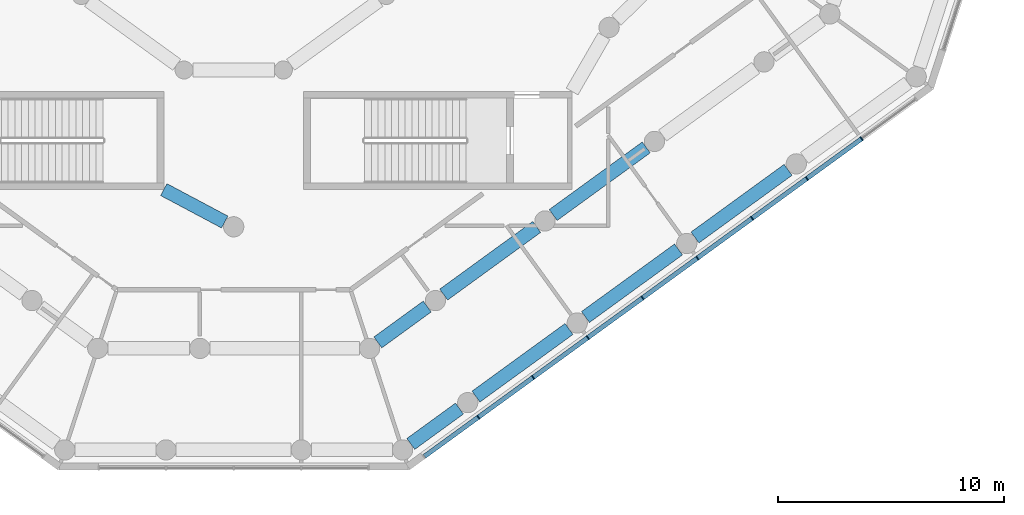
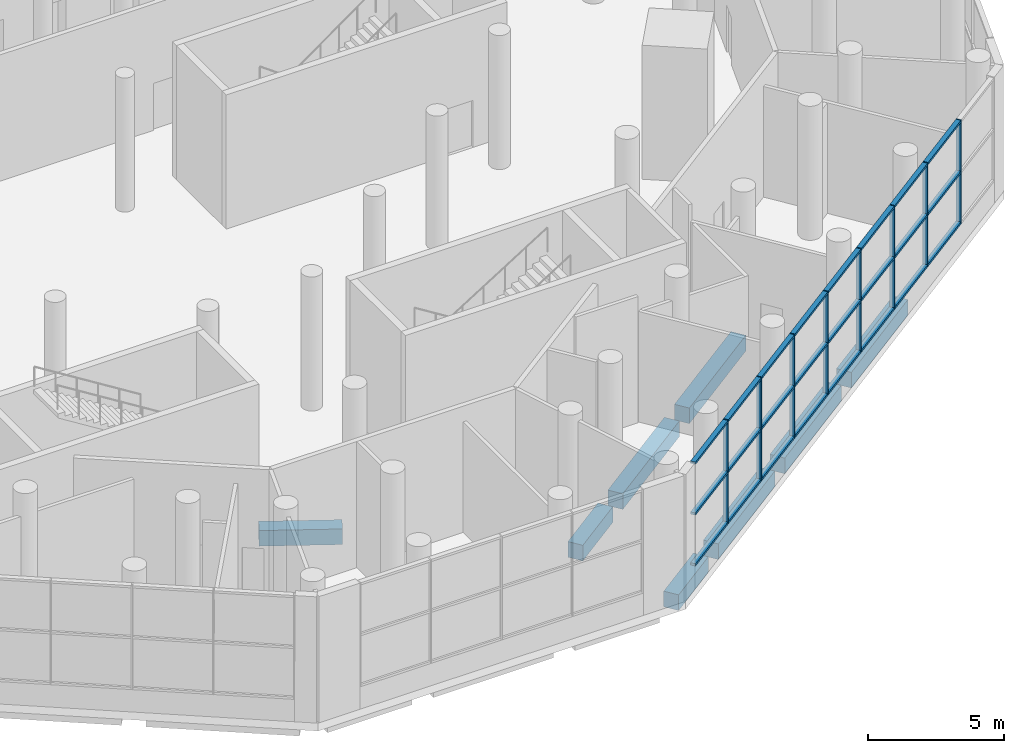
# One storey, part 5 of 19: 32 members, 8 beams, 1 element without a shape of its own.
"""IFC4 building model written with IfcOpenShell, lengths in metres."""

from ifc_helpers import new_model, si_unit, direction, frame, origin, origin_2d, place, context, subcontext, project, spatial, rectangle, extrude, material, material_profile, profile_set, type_object, element, aggregate, save


model = new_model("IFC4")

# Units and contexts
model_context = context("Model", 3, precision=1e-05, world=origin(), true_north=direction((0.0, 1.0)))
body_context = subcontext(model_context, "Body", "Model", "MODEL_VIEW")
ifc_project = project(units=[si_unit("LENGTHUNIT", "METRE"), si_unit("AREAUNIT", "SQUARE_METRE"), si_unit("VOLUMEUNIT", "CUBIC_METRE"), si_unit("PLANEANGLEUNIT", "RADIAN"), si_unit("MASSUNIT", "GRAM", prefix="KILO")], contexts=[model_context])

# Site, building, storey
site_placement = place(None, origin())
site = spatial("IfcSite", under=ifc_project, at=site_placement, CompositionType="ELEMENT")
building_placement = place(site_placement, origin())
building = spatial("IfcBuilding", under=site, at=building_placement, Name="White Candle Pilgrim Tower", CompositionType="ELEMENT")
storey_placement = place(building_placement, frame((0.0, 0.0, 23.0)))
storey = spatial("IfcBuildingStorey", under=building, at=storey_placement, Name="L03", CompositionType="ELEMENT", Elevation=23.0)

# Curtain wall, members
ifc_material_1 = material(Name="Aluminium and glass", Category="aluminium")
curtain_wall_type = type_object("IfcCurtainWallType", Name="Curtain wall CW2 prayer hall clerestory", PredefinedType="NOTDEFINED", material=ifc_material_1)
curtain_wall_placement = place(storey_placement, origin())
curtain_wall = element("IfcCurtainWall", 1, at=curtain_wall_placement, inside=storey, type_object=curtain_wall_type, Name="Curtain wall CW2 L03 SE", PredefinedType="NOTDEFINED")
ifc_material_2 = material(Name="Aluminium", Category="aluminium")
ifc_material_profile_1 = material_profile(ifc_material_2, rectangle(XDim=0.199951171875, YDim=0.050048828125, at=origin_2d()), Name="CW2 mullion 50x200")
ifc_profile_set_1 = profile_set([ifc_material_profile_1], Name="Aluminium")
member_type_1 = type_object("IfcMemberType", Name="CW2 mullion 50x200", PredefinedType="MULLION", material=ifc_profile_set_1)
member_1_placement = place(storey_placement, frame((80.843505859375, 31.211669921875, 1.0), z_axis=(0.0, 0.0, 1.0), x_axis=(-0.587785249384, 0.809016996488, 0.0)))
member_1 = element("IfcMember", 2, at=member_1_placement, type_object=member_type_1, Name="CW2 mullion 2", PredefinedType="MULLION", context=body_context, shape_type="SweptSolid", body=[
    extrude(rectangle(XDim=0.199951171875, YDim=0.050048828125, at=origin_2d()), origin(), (0.0, 0.0, 1.0), 4.64990234375),
])
member_2_placement = place(storey_placement, frame((83.2705078125, 32.974853515625, 1.0), z_axis=(0.0, 0.0, 1.0), x_axis=(-0.587785249384, 0.809016996488, 0.0)))
member_2 = element("IfcMember", 3, at=member_2_placement, type_object=member_type_1, Name="CW2 mullion 3", PredefinedType="MULLION", context=body_context, shape_type="SweptSolid", body=[
    extrude(rectangle(XDim=0.199951171875, YDim=0.050048828125, at=origin_2d()), origin(), (0.0, 0.0, 1.0), 4.64990234375),
])
member_3_placement = place(storey_placement, frame((85.697509765625, 34.73828125, 1.0), z_axis=(0.0, 0.0, 1.0), x_axis=(-0.587785249384, 0.809016996488, 0.0)))
member_3 = element("IfcMember", 4, at=member_3_placement, type_object=member_type_1, Name="CW2 mullion 4", PredefinedType="MULLION", context=body_context, shape_type="SweptSolid", body=[
    extrude(rectangle(XDim=0.199951171875, YDim=0.050048828125, at=origin_2d()), origin(), (0.0, 0.0, 1.0), 4.64990234375),
])
member_4_placement = place(storey_placement, frame((88.12451171875, 36.501708984375, 1.0), z_axis=(0.0, 0.0, 1.0), x_axis=(-0.587785249384, 0.809016996488, 0.0)))
member_4 = element("IfcMember", 5, at=member_4_placement, type_object=member_type_1, Name="CW2 mullion 5", PredefinedType="MULLION", context=body_context, shape_type="SweptSolid", body=[
    extrude(rectangle(XDim=0.199951171875, YDim=0.050048828125, at=origin_2d()), origin(), (0.0, 0.0, 1.0), 4.64990234375),
])
member_5_placement = place(storey_placement, frame((90.5517578125, 38.26513671875, 1.0), z_axis=(0.0, 0.0, 1.0), x_axis=(-0.587785249384, 0.809016996488, 0.0)))
member_5 = element("IfcMember", 6, at=member_5_placement, type_object=member_type_1, Name="CW2 mullion 6", PredefinedType="MULLION", context=body_context, shape_type="SweptSolid", body=[
    extrude(rectangle(XDim=0.199951171875, YDim=0.050048828125, at=origin_2d()), origin(), (0.0, 0.0, 1.0), 4.64990234375),
])
member_6_placement = place(storey_placement, frame((92.978759765625, 40.0283203125, 1.0), z_axis=(0.0, 0.0, 1.0), x_axis=(-0.587785249384, 0.809016996488, 0.0)))
member_6 = element("IfcMember", 7, at=member_6_placement, type_object=member_type_1, Name="CW2 mullion 7", PredefinedType="MULLION", context=body_context, shape_type="SweptSolid", body=[
    extrude(rectangle(XDim=0.199951171875, YDim=0.050048828125, at=origin_2d()), origin(), (0.0, 0.0, 1.0), 4.64990234375),
])
member_7_placement = place(storey_placement, frame((95.40576171875, 41.791748046875, 1.0), z_axis=(0.0, 0.0, 1.0), x_axis=(-0.587785249384, 0.809016996488, 0.0)))
member_7 = element("IfcMember", 8, at=member_7_placement, type_object=member_type_1, Name="CW2 mullion 8", PredefinedType="MULLION", context=body_context, shape_type="SweptSolid", body=[
    extrude(rectangle(XDim=0.199951171875, YDim=0.050048828125, at=origin_2d()), origin(), (0.0, 0.0, 1.0), 4.64990234375),
])
member_8_placement = place(storey_placement, frame((97.832763671875, 43.55517578125, 1.0), z_axis=(0.0, 0.0, 1.0), x_axis=(-0.587785249384, 0.809016996488, 0.0)))
member_8 = element("IfcMember", 9, at=member_8_placement, type_object=member_type_1, Name="CW2 mullion 9", PredefinedType="MULLION", context=body_context, shape_type="SweptSolid", body=[
    extrude(rectangle(XDim=0.199951171875, YDim=0.050048828125, at=origin_2d()), origin(), (0.0, 0.0, 1.0), 4.64990234375),
])
ifc_material_profile_2 = material_profile(ifc_material_2, rectangle(XDim=0.199951171875, YDim=0.10009765625, at=origin_2d()), Name="CW2 transom 100x200")
ifc_profile_set_2 = profile_set([ifc_material_profile_2], Name="Aluminium")
member_type_2 = type_object("IfcMemberType", Name="CW2 transom 100x200", PredefinedType="USERDEFINED", material=ifc_profile_set_2)
member_9_placement = place(storey_placement, frame((78.456787109375, 29.4775390625, 1.050048828125), z_axis=(0.808992256893, 0.587819299009, 0.0), x_axis=(-0.587819299009, 0.808992256893, 0.0)))
member_9 = element("IfcMember", 10, at=member_9_placement, type_object=member_type_2, Name="CW2 transom 1.1", ObjectType="TRANSOM", PredefinedType="USERDEFINED", context=body_context, shape_type="SweptSolid", body=[
    extrude(rectangle(XDim=0.199951171875, YDim=0.10009765625, at=origin_2d()), origin(), (0.0, 0.0, 1.0), 2.92529296875),
])
member_10_placement = place(storey_placement, frame((78.456787109375, 29.4775390625, 3.324951171875), z_axis=(0.808992256893, 0.587819299009, 0.0), x_axis=(-0.587819299009, 0.808992256893, 0.0)))
member_10 = element("IfcMember", 11, at=member_10_placement, type_object=member_type_2, Name="CW2 transom 1.2", ObjectType="TRANSOM", PredefinedType="USERDEFINED", context=body_context, shape_type="SweptSolid", body=[
    extrude(rectangle(XDim=0.199951171875, YDim=0.10009765625, at=origin_2d()), origin(), (0.0, 0.0, 1.0), 2.92529296875),
])
member_11_placement = place(storey_placement, frame((78.456787109375, 29.4775390625, 5.60009765625), z_axis=(0.808992256893, 0.587819299009, 0.0), x_axis=(-0.587819299009, 0.808992256893, 0.0)))
member_11 = element("IfcMember", 12, at=member_11_placement, type_object=member_type_2, Name="CW2 transom 1.3", ObjectType="TRANSOM", PredefinedType="USERDEFINED", context=body_context, shape_type="SweptSolid", body=[
    extrude(rectangle(XDim=0.199951171875, YDim=0.10009765625, at=origin_2d()), origin(), (0.0, 0.0, 1.0), 2.92529296875),
])
member_12_placement = place(storey_placement, frame((80.86376953125, 31.226318359375, 1.050048828125), z_axis=(0.809015152931, 0.587787786815, 0.0), x_axis=(-0.587787786815, 0.809015152931, 0.0)))
member_12 = element("IfcMember", 13, at=member_12_placement, type_object=member_type_2, Name="CW2 transom 2.1", ObjectType="TRANSOM", PredefinedType="USERDEFINED", context=body_context, shape_type="SweptSolid", body=[
    extrude(rectangle(XDim=0.199951171875, YDim=0.10009765625, at=origin_2d()), origin(), (0.0, 0.0, 1.0), 2.949951171875),
])
member_13_placement = place(storey_placement, frame((80.86376953125, 31.226318359375, 3.324951171875), z_axis=(0.809015152931, 0.587787786815, 0.0), x_axis=(-0.587787786815, 0.809015152931, 0.0)))
member_13 = element("IfcMember", 14, at=member_13_placement, type_object=member_type_2, Name="CW2 transom 2.2", ObjectType="TRANSOM", PredefinedType="USERDEFINED", context=body_context, shape_type="SweptSolid", body=[
    extrude(rectangle(XDim=0.199951171875, YDim=0.10009765625, at=origin_2d()), origin(), (0.0, 0.0, 1.0), 2.949951171875),
])
member_14_placement = place(storey_placement, frame((80.86376953125, 31.226318359375, 5.60009765625), z_axis=(0.809015152931, 0.587787786815, 0.0), x_axis=(-0.587787786815, 0.809015152931, 0.0)))
member_14 = element("IfcMember", 15, at=member_14_placement, type_object=member_type_2, Name="CW2 transom 2.3", ObjectType="TRANSOM", PredefinedType="USERDEFINED", context=body_context, shape_type="SweptSolid", body=[
    extrude(rectangle(XDim=0.199951171875, YDim=0.10009765625, at=origin_2d()), origin(), (0.0, 0.0, 1.0), 2.949951171875),
])
member_15_placement = place(storey_placement, frame((83.290771484375, 32.98974609375, 1.050048828125), z_axis=(0.809015152931, 0.587787786815, 0.0), x_axis=(-0.587787786815, 0.809015152931, 0.0)))
member_15 = element("IfcMember", 16, at=member_15_placement, type_object=member_type_2, Name="CW2 transom 3.1", ObjectType="TRANSOM", PredefinedType="USERDEFINED", context=body_context, shape_type="SweptSolid", body=[
    extrude(rectangle(XDim=0.199951171875, YDim=0.10009765625, at=origin_2d()), origin(), (0.0, 0.0, 1.0), 2.949951171875),
])
member_16_placement = place(storey_placement, frame((83.290771484375, 32.98974609375, 3.324951171875), z_axis=(0.809015152931, 0.587787786815, 0.0), x_axis=(-0.587787786815, 0.809015152931, 0.0)))
member_16 = element("IfcMember", 17, at=member_16_placement, type_object=member_type_2, Name="CW2 transom 3.2", ObjectType="TRANSOM", PredefinedType="USERDEFINED", context=body_context, shape_type="SweptSolid", body=[
    extrude(rectangle(XDim=0.199951171875, YDim=0.10009765625, at=origin_2d()), origin(), (0.0, 0.0, 1.0), 2.949951171875),
])
member_17_placement = place(storey_placement, frame((83.290771484375, 32.98974609375, 5.60009765625), z_axis=(0.809015152931, 0.587787786815, 0.0), x_axis=(-0.587787786815, 0.809015152931, 0.0)))
member_17 = element("IfcMember", 18, at=member_17_placement, type_object=member_type_2, Name="CW2 transom 3.3", ObjectType="TRANSOM", PredefinedType="USERDEFINED", context=body_context, shape_type="SweptSolid", body=[
    extrude(rectangle(XDim=0.199951171875, YDim=0.10009765625, at=origin_2d()), origin(), (0.0, 0.0, 1.0), 2.949951171875),
])
member_18_placement = place(storey_placement, frame((85.7177734375, 34.7529296875, 1.050048828125), z_axis=(0.809004391883, 0.587802597744, 0.0), x_axis=(-0.587802597744, 0.809004391883, 0.0)))
member_18 = element("IfcMember", 19, at=member_18_placement, type_object=member_type_2, Name="CW2 transom 4.1", ObjectType="TRANSOM", PredefinedType="USERDEFINED", context=body_context, shape_type="SweptSolid", body=[
    extrude(rectangle(XDim=0.199951171875, YDim=0.10009765625, at=origin_2d()), origin(), (0.0, 0.0, 1.0), 2.9501953125),
])
member_19_placement = place(storey_placement, frame((85.7177734375, 34.7529296875, 3.324951171875), z_axis=(0.809004391883, 0.587802597744, 0.0), x_axis=(-0.587802597744, 0.809004391883, 0.0)))
member_19 = element("IfcMember", 20, at=member_19_placement, type_object=member_type_2, Name="CW2 transom 4.2", ObjectType="TRANSOM", PredefinedType="USERDEFINED", context=body_context, shape_type="SweptSolid", body=[
    extrude(rectangle(XDim=0.199951171875, YDim=0.10009765625, at=origin_2d()), origin(), (0.0, 0.0, 1.0), 2.9501953125),
])
member_20_placement = place(storey_placement, frame((85.7177734375, 34.7529296875, 5.60009765625), z_axis=(0.809004391883, 0.587802597744, 0.0), x_axis=(-0.587802597744, 0.809004391883, 0.0)))
member_20 = element("IfcMember", 21, at=member_20_placement, type_object=member_type_2, Name="CW2 transom 4.3", ObjectType="TRANSOM", PredefinedType="USERDEFINED", context=body_context, shape_type="SweptSolid", body=[
    extrude(rectangle(XDim=0.199951171875, YDim=0.10009765625, at=origin_2d()), origin(), (0.0, 0.0, 1.0), 2.9501953125),
])
member_21_placement = place(storey_placement, frame((88.144775390625, 36.516357421875, 1.050048828125), z_axis=(0.80904374446, 0.587748432197, 0.0), x_axis=(-0.587748432197, 0.80904374446, 0.0)))
member_21 = element("IfcMember", 22, at=member_21_placement, type_object=member_type_2, Name="CW2 transom 5.1", ObjectType="TRANSOM", PredefinedType="USERDEFINED", context=body_context, shape_type="SweptSolid", body=[
    extrude(rectangle(XDim=0.199951171875, YDim=0.10009765625, at=origin_2d()), origin(), (0.0, 0.0, 1.0), 2.949951171875),
])
member_22_placement = place(storey_placement, frame((88.144775390625, 36.516357421875, 3.324951171875), z_axis=(0.80904374446, 0.587748432197, 0.0), x_axis=(-0.587748432197, 0.80904374446, 0.0)))
member_22 = element("IfcMember", 23, at=member_22_placement, type_object=member_type_2, Name="CW2 transom 5.2", ObjectType="TRANSOM", PredefinedType="USERDEFINED", context=body_context, shape_type="SweptSolid", body=[
    extrude(rectangle(XDim=0.199951171875, YDim=0.10009765625, at=origin_2d()), origin(), (0.0, 0.0, 1.0), 2.949951171875),
])
member_23_placement = place(storey_placement, frame((88.144775390625, 36.516357421875, 5.60009765625), z_axis=(0.80904374446, 0.587748432197, 0.0), x_axis=(-0.587748432197, 0.80904374446, 0.0)))
member_23 = element("IfcMember", 24, at=member_23_placement, type_object=member_type_2, Name="CW2 transom 5.3", ObjectType="TRANSOM", PredefinedType="USERDEFINED", context=body_context, shape_type="SweptSolid", body=[
    extrude(rectangle(XDim=0.199951171875, YDim=0.10009765625, at=origin_2d()), origin(), (0.0, 0.0, 1.0), 2.949951171875),
])
member_24_placement = place(storey_placement, frame((90.57177734375, 38.27978515625, 1.050048828125), z_axis=(0.80904374446, 0.587748432197, 0.0), x_axis=(-0.587748432197, 0.80904374446, 0.0)))
member_24 = element("IfcMember", 25, at=member_24_placement, type_object=member_type_2, Name="CW2 transom 6.1", ObjectType="TRANSOM", PredefinedType="USERDEFINED", context=body_context, shape_type="SweptSolid", body=[
    extrude(rectangle(XDim=0.199951171875, YDim=0.10009765625, at=origin_2d()), origin(), (0.0, 0.0, 1.0), 2.949951171875),
])
member_25_placement = place(storey_placement, frame((90.57177734375, 38.27978515625, 3.324951171875), z_axis=(0.80904374446, 0.587748432197, 0.0), x_axis=(-0.587748432197, 0.80904374446, 0.0)))
member_25 = element("IfcMember", 26, at=member_25_placement, type_object=member_type_2, Name="CW2 transom 6.2", ObjectType="TRANSOM", PredefinedType="USERDEFINED", context=body_context, shape_type="SweptSolid", body=[
    extrude(rectangle(XDim=0.199951171875, YDim=0.10009765625, at=origin_2d()), origin(), (0.0, 0.0, 1.0), 2.949951171875),
])
member_26_placement = place(storey_placement, frame((90.57177734375, 38.27978515625, 5.60009765625), z_axis=(0.80904374446, 0.587748432197, 0.0), x_axis=(-0.587748432197, 0.80904374446, 0.0)))
member_26 = element("IfcMember", 27, at=member_26_placement, type_object=member_type_2, Name="CW2 transom 6.3", ObjectType="TRANSOM", PredefinedType="USERDEFINED", context=body_context, shape_type="SweptSolid", body=[
    extrude(rectangle(XDim=0.199951171875, YDim=0.10009765625, at=origin_2d()), origin(), (0.0, 0.0, 1.0), 2.949951171875),
])
member_27_placement = place(storey_placement, frame((92.9990234375, 40.04296875, 1.050048828125), z_axis=(0.808975796474, 0.587841952159, 0.0), x_axis=(-0.587841952159, 0.808975796474, 0.0)))
member_27 = element("IfcMember", 28, at=member_27_placement, type_object=member_type_2, Name="CW2 transom 7.1", ObjectType="TRANSOM", PredefinedType="USERDEFINED", context=body_context, shape_type="SweptSolid", body=[
    extrude(rectangle(XDim=0.199951171875, YDim=0.10009765625, at=origin_2d()), origin(), (0.0, 0.0, 1.0), 2.949951171875),
])
member_28_placement = place(storey_placement, frame((92.9990234375, 40.04296875, 3.324951171875), z_axis=(0.808975796474, 0.587841952159, 0.0), x_axis=(-0.587841952159, 0.808975796474, 0.0)))
member_28 = element("IfcMember", 29, at=member_28_placement, type_object=member_type_2, Name="CW2 transom 7.2", ObjectType="TRANSOM", PredefinedType="USERDEFINED", context=body_context, shape_type="SweptSolid", body=[
    extrude(rectangle(XDim=0.199951171875, YDim=0.10009765625, at=origin_2d()), origin(), (0.0, 0.0, 1.0), 2.949951171875),
])
member_29_placement = place(storey_placement, frame((92.9990234375, 40.04296875, 5.60009765625), z_axis=(0.808975796474, 0.587841952159, 0.0), x_axis=(-0.587841952159, 0.808975796474, 0.0)))
member_29 = element("IfcMember", 30, at=member_29_placement, type_object=member_type_2, Name="CW2 transom 7.3", ObjectType="TRANSOM", PredefinedType="USERDEFINED", context=body_context, shape_type="SweptSolid", body=[
    extrude(rectangle(XDim=0.199951171875, YDim=0.10009765625, at=origin_2d()), origin(), (0.0, 0.0, 1.0), 2.949951171875),
])
member_30_placement = place(storey_placement, frame((95.426025390625, 41.806396484375, 1.050048828125), z_axis=(0.809015152931, 0.587787786815, 0.0), x_axis=(-0.587787786815, 0.809015152931, 0.0)))
member_30 = element("IfcMember", 31, at=member_30_placement, type_object=member_type_2, Name="CW2 transom 8.1", ObjectType="TRANSOM", PredefinedType="USERDEFINED", context=body_context, shape_type="SweptSolid", body=[
    extrude(rectangle(XDim=0.199951171875, YDim=0.10009765625, at=origin_2d()), origin(), (0.0, 0.0, 1.0), 2.949951171875),
])
member_31_placement = place(storey_placement, frame((95.426025390625, 41.806396484375, 3.324951171875), z_axis=(0.809015152931, 0.587787786815, 0.0), x_axis=(-0.587787786815, 0.809015152931, 0.0)))
member_31 = element("IfcMember", 32, at=member_31_placement, type_object=member_type_2, Name="CW2 transom 8.2", ObjectType="TRANSOM", PredefinedType="USERDEFINED", context=body_context, shape_type="SweptSolid", body=[
    extrude(rectangle(XDim=0.199951171875, YDim=0.10009765625, at=origin_2d()), origin(), (0.0, 0.0, 1.0), 2.949951171875),
])
member_32_placement = place(storey_placement, frame((95.426025390625, 41.806396484375, 5.60009765625), z_axis=(0.809015152931, 0.587787786815, 0.0), x_axis=(-0.587787786815, 0.809015152931, 0.0)))
member_32 = element("IfcMember", 33, at=member_32_placement, type_object=member_type_2, Name="CW2 transom 8.3", ObjectType="TRANSOM", PredefinedType="USERDEFINED", context=body_context, shape_type="SweptSolid", body=[
    extrude(rectangle(XDim=0.199951171875, YDim=0.10009765625, at=origin_2d()), origin(), (0.0, 0.0, 1.0), 2.949951171875),
])
aggregate(curtain_wall, [member_1, member_2, member_3, member_4, member_5, member_6, member_7, member_8, member_9, member_10, member_11, member_12, member_13, member_14, member_15, member_16, member_17, member_18, member_19, member_20, member_21, member_22, member_23, member_24, member_25, member_26, member_27, member_28, member_29, member_30, member_31, member_32])

# Beams
ifc_material_3 = material(Name="Concrete C50/60", Category="concrete")
ifc_material_profile_3 = material_profile(ifc_material_3, rectangle(XDim=0.60009765625, YDim=0.699951171875, at=origin_2d()), Name="RC-BM 600x700")
ifc_profile_set_3 = profile_set([ifc_material_profile_3], Name="Concrete C50/60")
beam_type = type_object("IfcBeamType", Name="Spandrel beam RC-BM 600x700 C50/60", PredefinedType="BEAM", material=ifc_profile_set_3)
beam_1_placement = place(storey_placement, frame((69.60302734375, 39.861328125, -0.699951171875), z_axis=(-0.882752092562, 0.469839060826, 0.0), x_axis=(-0.469839060826, -0.882752092562, 0.0)))
element("IfcBeam", 34, at=beam_1_placement, inside=storey, type_object=beam_type, Name="L03 spandrel beam T04", PredefinedType="BEAM", context=body_context, shape_type="SweptSolid", body=[
    extrude(rectangle(XDim=0.60009765625, YDim=0.699951171875, at=origin_2d()), origin(), (0.0, 0.0, 1.0), 3.062255859375),
])
beam_2_placement = place(storey_placement, frame((77.849853515625, 30.025390625, -0.699951171875), z_axis=(0.808985185051, 0.58782903158, 0.0), x_axis=(-0.58782903158, 0.808985185051, 0.0)))
element("IfcBeam", 35, at=beam_2_placement, inside=storey, type_object=beam_type, Name="L03 spandrel beam B11", PredefinedType="BEAM", context=body_context, shape_type="SweptSolid", body=[
    extrude(rectangle(XDim=0.60009765625, YDim=0.699951171875, at=origin_2d()), origin(), (0.0, 0.0, 1.0), 2.669189453125),
])
beam_3_placement = place(storey_placement, frame((80.73681640625, 32.123291015625, -0.699951171875), z_axis=(0.808978190317, 0.587838657789, 0.0), x_axis=(-0.587838657789, 0.808978190317, 0.0)))
element("IfcBeam", 36, at=beam_3_placement, inside=storey, type_object=beam_type, Name="L03 spandrel beam B12", PredefinedType="BEAM", context=body_context, shape_type="SweptSolid", body=[
    extrude(rectangle(XDim=0.60009765625, YDim=0.699951171875, at=origin_2d()), origin(), (0.0, 0.0, 1.0), 5.1005859375),
])
beam_4_placement = place(storey_placement, frame((85.5908203125, 35.650390625, -0.699951171875), z_axis=(0.809069240735, 0.587713334625, 0.0), x_axis=(-0.587713334625, 0.809069240735, 0.0)))
element("IfcBeam", 37, at=beam_4_placement, inside=storey, type_object=beam_type, Name="L03 spandrel beam B13", PredefinedType="BEAM", context=body_context, shape_type="SweptSolid", body=[
    extrude(rectangle(XDim=0.60009765625, YDim=0.699951171875, at=origin_2d()), origin(), (0.0, 0.0, 1.0), 5.099853515625),
])
beam_5_placement = place(storey_placement, frame((90.44482421875, 39.17626953125, -0.699951171875), z_axis=(0.809021578494, 0.587778942742, 0.0), x_axis=(-0.587778942742, 0.809021578494, 0.0)))
element("IfcBeam", 38, at=beam_5_placement, inside=storey, type_object=beam_type, Name="L03 spandrel beam B14", PredefinedType="BEAM", context=body_context, shape_type="SweptSolid", body=[
    extrude(rectangle(XDim=0.60009765625, YDim=0.699951171875, at=origin_2d()), origin(), (0.0, 0.0, 1.0), 5.1015625),
])
beam_6_placement = place(storey_placement, frame((76.387939453125, 34.525390625, -0.699951171875), z_axis=(0.809008975915, 0.587796288598, 0.0), x_axis=(-0.587796288598, 0.809008975915, 0.0)))
element("IfcBeam", 39, at=beam_6_placement, inside=storey, type_object=beam_type, Name="L03 spandrel beam C09", PredefinedType="BEAM", context=body_context, shape_type="SweptSolid", body=[
    extrude(rectangle(XDim=0.60009765625, YDim=0.699951171875, at=origin_2d()), origin(), (0.0, 0.0, 1.0), 2.707275390625),
])
beam_7_placement = place(storey_placement, frame((79.305908203125, 36.6455078125, -0.699951171875), z_axis=(0.80900095282, 0.587807330965, 0.0), x_axis=(-0.587807330965, 0.80900095282, 0.0)))
element("IfcBeam", 40, at=beam_7_placement, inside=storey, type_object=beam_type, Name="L03 spandrel beam C10", PredefinedType="BEAM", context=body_context, shape_type="SweptSolid", body=[
    extrude(rectangle(XDim=0.60009765625, YDim=0.699951171875, at=origin_2d()), origin(), (0.0, 0.0, 1.0), 5.100341796875),
])
beam_8_placement = place(storey_placement, frame((84.159912109375, 40.17236328125, -0.699951171875), z_axis=(0.809069240735, 0.587713334625, 0.0), x_axis=(-0.587713334625, 0.809069240735, 0.0)))
element("IfcBeam", 41, at=beam_8_placement, inside=storey, type_object=beam_type, Name="L03 spandrel beam C11", PredefinedType="BEAM", context=body_context, shape_type="SweptSolid", body=[
    extrude(rectangle(XDim=0.60009765625, YDim=0.699951171875, at=origin_2d()), origin(), (0.0, 0.0, 1.0), 5.099853515625),
])

save(model, "model.ifc")
